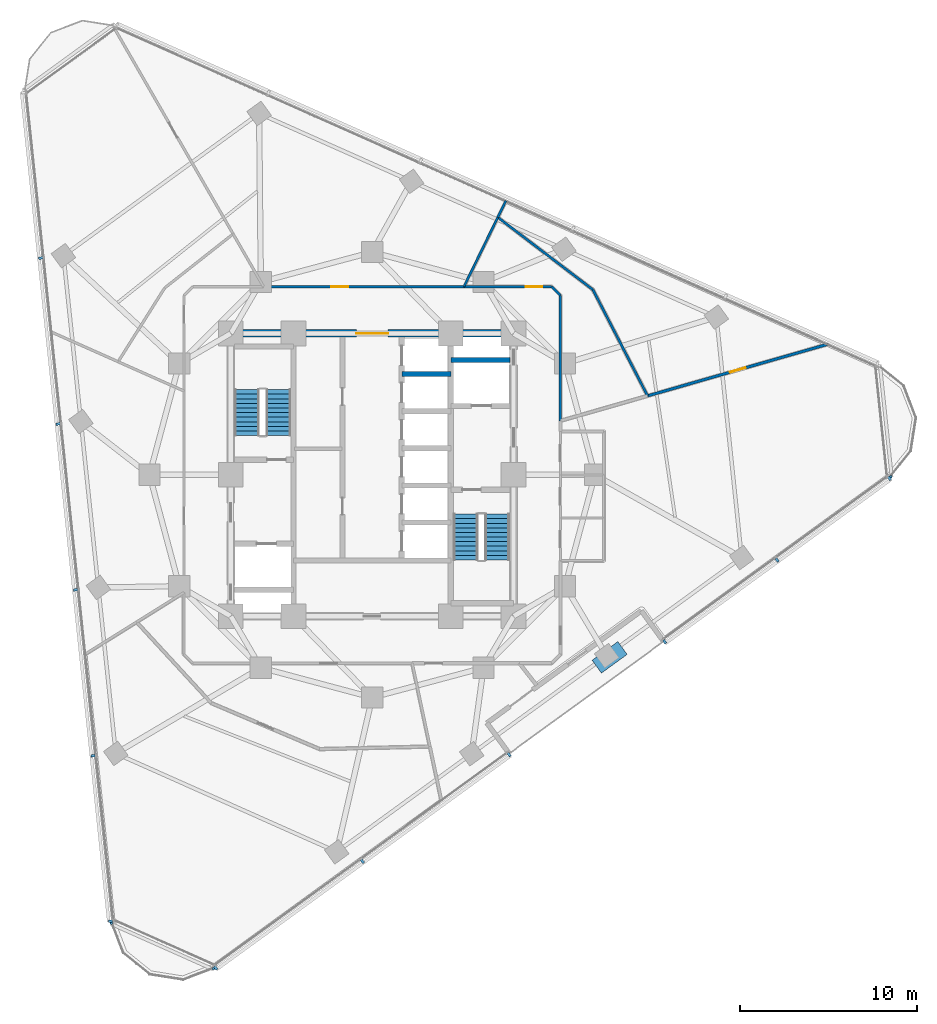
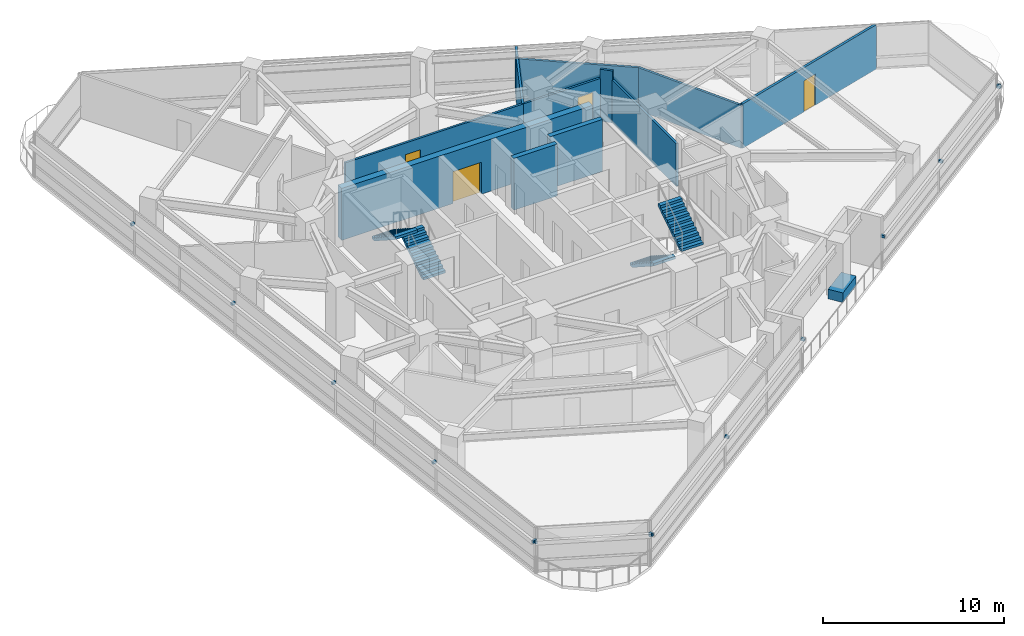
# One storey, part 10 of 14: 15 discrete accessories, 12 walls, 4 doors, 4 stair flights, 4 openings, 2 elements without a shape of their own.
"""IFC4 building model written with IfcOpenShell, lengths in metres."""

import ifcopenshell
import ifcopenshell.guid

model = None  # the IFC model being written
_history = None  # IfcOwnerHistory: only IFC2X3 demands one
_inside = {}  # id of a spatial element -> (the spatial element, [elements in it])
_under = {}  # id of a project, library or spatial element -> (it, [spatial elements below it])
_declared = {}  # id of a project -> (the project, [libraries it declares])
_typed = {}  # id of a type object -> (the type object, [elements of that type])
_made_of = {}  # id of a material, layer set ... -> (it, [elements and type objects made of it])


def new_model(schema):
    """Start an empty IFC model of exactly this schema.

    Asked for "IFC4X3", IfcOpenShell would pick the latest addendum, in which some entities
    have other attributes; the version numbers below select the first issue.
    IFC2X3 requires an IfcOwnerHistory on every rooted entity: one is made here for all.
    """
    global model, _history
    if schema == "IFC4X3":
        model = ifcopenshell.file(schema_version=(4, 3, 0, 0))
    else:
        model = ifcopenshell.file(schema=schema)
    _inside.clear()
    _under.clear()
    _declared.clear()
    _typed.clear()
    _made_of.clear()
    _history = None
    if model.schema == "IFC2X3":
        org = make("IfcOrganization", Name="unknown")
        user = make(
            "IfcPersonAndOrganization",
            ThePerson=make("IfcPerson", FamilyName="unknown"),
            TheOrganization=org,
        )
        app = make(
            "IfcApplication",
            ApplicationDeveloper=org,
            Version="unknown",
            ApplicationFullName="unknown",
            ApplicationIdentifier="unknown",
        )
        _history = make(
            "IfcOwnerHistory",
            OwningUser=user,
            OwningApplication=app,
            ChangeAction="ADDED",
            CreationDate=0,
        )
    return model


def make(cls, **values):
    """One entity of the class cls with the attributes given. An attribute that is None is left unset."""
    return model.create_entity(
        cls, **{name: value for name, value in values.items() if value is not None}
    )


def rooted(cls, **values):
    """An entity with a GlobalId (a new one), such as an element, a storey or a relation."""
    return make(cls, GlobalId=ifcopenshell.guid.new(), OwnerHistory=_history, **values)


def si_unit(unit_type, name, prefix=None):
    """IfcSIUnit, for example si_unit("LENGTHUNIT", "METRE", prefix="MILLI")."""
    return make("IfcSIUnit", UnitType=unit_type, Prefix=prefix, Name=name)


def assignment(units):
    """IfcUnitAssignment: the units of a project."""
    return None if units is None else make("IfcUnitAssignment", Units=units)


def point(xyz):
    """IfcCartesianPoint."""
    return None if xyz is None else make("IfcCartesianPoint", Coordinates=xyz)


def direction(xyz):
    """IfcDirection."""
    return None if xyz is None else make("IfcDirection", DirectionRatios=xyz)


def frame(location, z_axis=None, x_axis=None):
    """IfcAxis2Placement3D, a coordinate frame: its origin and axes. An axis left out is left unset."""
    return make(
        "IfcAxis2Placement3D",
        Location=point(location),
        Axis=direction(z_axis),
        RefDirection=direction(x_axis),
    )


def frame_2d(location, x_axis=None):
    """IfcAxis2Placement2D, a coordinate frame in the plane: its origin and x axis."""
    return make(
        "IfcAxis2Placement2D", Location=point(location), RefDirection=direction(x_axis)
    )


def origin():
    """The frame at (0, 0, 0) with its axes left unset."""
    return frame((0.0, 0.0, 0.0))


def origin_2d():
    """The frame at (0, 0) in the plane with its x axis left unset."""
    return frame_2d((0.0, 0.0))


def place(relative_to, where):
    """IfcLocalPlacement: puts the frame where relative to a parent placement (None: the world)."""
    return make(
        "IfcLocalPlacement", PlacementRelTo=relative_to, RelativePlacement=where
    )


def context(
    kind, dimensions, precision=None, world=None, true_north=None, identifier=None
):
    """IfcGeometricRepresentationContext, for example the 3D "Model" context."""
    return make(
        "IfcGeometricRepresentationContext",
        ContextIdentifier=identifier,
        ContextType=kind,
        CoordinateSpaceDimension=dimensions,
        Precision=precision,
        WorldCoordinateSystem=world,
        TrueNorth=true_north,
    )


def subcontext(parent, identifier, kind, view, scale=None):
    """IfcGeometricRepresentationSubContext, for example "Body" below "Model"."""
    return make(
        "IfcGeometricRepresentationSubContext",
        ContextIdentifier=identifier,
        ContextType=kind,
        ParentContext=parent,
        TargetScale=scale,
        TargetView=view,
    )


def project(units=None, contexts=None):
    """IfcProject with its units and contexts."""
    return rooted(
        "IfcProject",
        Name="project",
        RepresentationContexts=contexts,
        UnitsInContext=assignment(units),
    )


def spatial(cls, under=None, at=None, **own):
    """A site, building, storey or space (cls), placed at a placement, below another one or the project."""
    s = rooted(cls, ObjectPlacement=at, **own)
    if under is not None:
        _under.setdefault(under.id(), (under, []))[1].append(s)
    return s


def polyline(points):
    """IfcPolyline through the points."""
    return make("IfcPolyline", Points=[point(p) for p in points])


def profile(cls, at=None, kind="AREA", **sizes):
    """A parametric profile (cls). Its sizes go by their IFC names, for example OverallWidth=200.0."""
    return make(cls, ProfileType=kind, Position=at, **sizes)


def rectangle(**sizes):
    """IfcRectangleProfileDef."""
    return profile("IfcRectangleProfileDef", **sizes)


def outline(outer, holes=None, kind="AREA"):
    """IfcArbitraryClosedProfileDef: a profile drawn as a closed curve; with holes, ...WithVoids."""
    if holes is None:
        return make("IfcArbitraryClosedProfileDef", ProfileType=kind, OuterCurve=outer)
    return make(
        "IfcArbitraryProfileDefWithVoids",
        ProfileType=kind,
        OuterCurve=outer,
        InnerCurves=holes,
    )


def extrude(swept, where, along, depth):
    """IfcExtrudedAreaSolid: the profile swept, set in the frame where, extruded along a direction by depth."""
    return make(
        "IfcExtrudedAreaSolid",
        SweptArea=swept,
        Position=where,
        ExtrudedDirection=direction(along),
        Depth=depth,
    )


def shape(context_of_items, identifier, shape_type, items):
    """IfcShapeRepresentation: the items that make up one representation, for example the "Body"."""
    return make(
        "IfcShapeRepresentation",
        ContextOfItems=context_of_items,
        RepresentationIdentifier=identifier,
        RepresentationType=shape_type,
        Items=items,
    )


def material(Name=None, Category=None):
    """IfcMaterial."""
    return make("IfcMaterial", Name=Name, Category=Category)


def layer(
    of_material, thickness, ventilated=None, Name=None, Category=None, Priority=None
):
    """IfcMaterialLayer: one layer of a wall or slab, of a material (None: an air gap)."""
    return make(
        "IfcMaterialLayer",
        Material=of_material,
        LayerThickness=thickness,
        IsVentilated=ventilated,
        Name=Name,
        Category=Category,
        Priority=Priority,
    )


def layer_set(layers, Name=None):
    """IfcMaterialLayerSet."""
    return make("IfcMaterialLayerSet", MaterialLayers=layers, LayerSetName=Name)


def made_of(thing, what):
    """Note that an element or type object is made of a material, layer set ...; save() writes the relation."""
    if what is not None:
        _made_of.setdefault(what.id(), (what, []))[1].append(thing)
    return thing


def type_object(cls, material=None, **own):
    """A type object (cls), such as IfcWallType, which elements share."""
    return made_of(rooted(cls, **own), material)


def element(
    cls,
    number,
    at=None,
    inside=None,
    cuts=None,
    type_object=None,
    material=None,
    context=None,
    identifier="Body",
    shape_type=None,
    held_by="IfcProductDefinitionShape",
    body=None,
    shapes=None,
    **own,
):
    """One element of the class cls, such as IfcWall. Its Tag is "e" and its number.

    at: its placement. inside: the storey or other place that contains it. cuts: it is an
    opening in that element (IfcRelVoidsElement). A single representation is given by context,
    identifier, shape_type and body (its items); several are given by shapes. held_by: the class
    of the entity that holds the representations. save() writes the other relations.
    """
    e = rooted(cls, Tag="e%d" % number, ObjectPlacement=at, **own)
    if body is not None:
        shapes = [shape(context, identifier, shape_type, body)]
    if shapes is not None:
        e.Representation = make(held_by, Representations=shapes)
    if inside is not None:
        _inside.setdefault(inside.id(), (inside, []))[1].append(e)
    if cuts is not None:
        rooted(
            "IfcRelVoidsElement", RelatingBuildingElement=cuts, RelatedOpeningElement=e
        )
    if type_object is not None:
        _typed.setdefault(type_object.id(), (type_object, []))[1].append(e)
    return made_of(e, material)


def fill(opening, filler):
    """IfcRelFillsElement: the door or window that sits in an opening."""
    return rooted(
        "IfcRelFillsElement",
        RelatingOpeningElement=opening,
        RelatedBuildingElement=filler,
    )


def aggregate(whole, parts):
    """IfcRelAggregates: a whole, such as a stair, and the parts it consists of."""
    return rooted("IfcRelAggregates", RelatingObject=whole, RelatedObjects=parts)


def save(model, path):
    """Write the relations noted so far, then the file.

    IfcRelAggregates (storeys below a building ...), IfcRelContainedInSpatialStructure (elements
    in a storey), IfcRelDefinesByType, IfcRelAssociatesMaterial and IfcRelDeclares: one each for
    every whole, place, type object, material and project.
    """
    for whole, parts in _under.values():
        aggregate(whole, parts)
    for where, things in _inside.values():
        rooted(
            "IfcRelContainedInSpatialStructure",
            RelatedElements=things,
            RelatingStructure=where,
        )
    for kind, things in _typed.values():
        rooted("IfcRelDefinesByType", RelatedObjects=things, RelatingType=kind)
    for what, things in _made_of.values():
        rooted("IfcRelAssociatesMaterial", RelatedObjects=things, RelatingMaterial=what)
    for by, libraries in _declared.values():
        rooted("IfcRelDeclares", RelatingContext=by, RelatedDefinitions=libraries)
    model.write(path)


model = new_model("IFC4")

# Units and contexts
model_context = context("Model", 3, precision=1e-05, world=origin(), true_north=direction((0.0, 1.0)))
body_context = subcontext(model_context, "Body", "Model", "MODEL_VIEW")
ifc_project = project(units=[si_unit("LENGTHUNIT", "METRE"), si_unit("AREAUNIT", "SQUARE_METRE"), si_unit("VOLUMEUNIT", "CUBIC_METRE"), si_unit("PLANEANGLEUNIT", "RADIAN"), si_unit("MASSUNIT", "GRAM", prefix="KILO")], contexts=[model_context])

# Site, building, storey
site_placement = place(None, origin())
site = spatial("IfcSite", under=ifc_project, at=site_placement, CompositionType="ELEMENT")
building_placement = place(site_placement, origin())
building = spatial("IfcBuilding", under=site, at=building_placement, Name="Terralouvre Media Tower", CompositionType="ELEMENT")
storey_placement = place(building_placement, frame((0.0, 0.0, 158.300048828125)))
storey = spatial("IfcBuildingStorey", under=building, at=storey_placement, Name="L40", CompositionType="ELEMENT", Elevation=158.300048828125)

# Walls
ifc_material_1 = material(Name="Concrete C50/60", Category="concrete")
ifc_layer_1 = layer(ifc_material_1, 0.300048828125, Name="Core Internal Shaft Wall CW-300")
ifc_layer_set_1 = layer_set([ifc_layer_1], Name="Concrete C50/60")
wall_type_1 = type_object("IfcWallType", Name="Core Internal Shaft Wall CW-300", PredefinedType="SHEAR", material=ifc_layer_set_1)
wall_1_placement = place(storey_placement, frame((4.449951171875, 6.5, 0.0), z_axis=(0.0, 0.0, 1.0), x_axis=(1.0, 0.0, 0.0)))
element("IfcWall", 1, at=wall_1_placement, inside=storey, type_object=wall_type_1, Name="L40 Core Shaft Wall FF2N", PredefinedType="SHEAR", context=body_context, shape_type="SweptSolid", body=[
    extrude(rectangle(XDim=3.340087890625, YDim=0.300048828125, at=frame_2d((1.669921875, 0.0))), origin(), (0.0, 0.0, 1.0), 3.5),
])
wall_2_placement = place(storey_placement, frame((1.679931640625, 5.699951171875, 0.0), z_axis=(0.0, 0.0, 1.0), x_axis=(1.0, 0.0, 0.0)))
element("IfcWall", 2, at=wall_2_placement, inside=storey, type_object=wall_type_1, Name="L40 Core Shaft Wall PLMD2", PredefinedType="SHEAR", context=body_context, shape_type="SweptSolid", body=[
    extrude(rectangle(XDim=2.77001953125, YDim=0.300048828125, at=frame_2d((1.385009765625, 0.0))), origin(), (0.0, 0.0, 1.0), 3.5),
])

# Wall, opening, door
ifc_material_2 = material(Name="Concrete C60/75", Category="concrete")
ifc_layer_2 = layer(ifc_material_2, 0.419921875, Name="Core Reinforced Concrete Shear Wall CW-420")
ifc_layer_set_2 = layer_set([ifc_layer_2], Name="Concrete C60/75")
wall_type_2 = type_object("IfcWallType", Name="Core Reinforced Concrete Shear Wall CW-420", PredefinedType="SHEAR", material=ifc_layer_set_2)
wall_3_placement = place(storey_placement, frame((-8.0, 8.0, 0.0), z_axis=(0.0, 0.0, 1.0), x_axis=(1.0, 0.0, 0.0)))
wall_3 = element("IfcWall", 3, at=wall_3_placement, inside=storey, type_object=wall_type_2, Name="L40 N Core Shear Wall", PredefinedType="SHEAR", context=body_context, shape_type="SweptSolid", body=[
    extrude(rectangle(XDim=16.0, YDim=0.419921875, at=frame_2d((8.0, 0.0))), origin(), (0.0, 0.0, 1.0), 3.5),
])
opening_1_placement = place(wall_3_placement, frame((7.10009765625, 0.0, 0.0)))
opening_1 = element("IfcOpeningElement", 4, at=opening_1_placement, cuts=wall_3, Name="Opening FD-03", PredefinedType="OPENING", context=body_context, shape_type="SweptSolid", body=[
    extrude(rectangle(XDim=1.800048828125, YDim=2.14990234375, at=frame_2d((0.89990234375, 1.074951171875))), frame((0.0, 0.219970703125, 0.0), z_axis=(0.0, -1.0, 0.0), x_axis=(1.0, 0.0, 0.0)), (0.0, 0.0, 1.0), 0.43994140625),
])
ifc_material_3 = material(Name="Galvanised steel fire-resisting leaf", Category="steel")
door_type_1 = type_object("IfcDoorType", Name="Corridor Smoke-Control Double Door FD-03", OperationType="DOUBLE_DOOR_SINGLE_SWING", PredefinedType="DOOR", material=ifc_material_3)
door_1_placement = place(opening_1_placement, origin())
door_1 = element("IfcDoor", 5, at=door_1_placement, inside=storey, type_object=door_type_1, Name="L40 Central Lift Lobby Portal Door", OperationType="DOUBLE_DOOR_SINGLE_SWING", OverallHeight=2.14990234375, OverallWidth=1.800048828125, PredefinedType="DOOR", context=body_context, shape_type="SweptSolid", body=[
    extrude(rectangle(XDim=1.800048828125, YDim=2.14990234375, at=frame_2d((0.89990234375, 1.074951171875))), frame((0.0, 0.02490234375, 0.0), z_axis=(0.0, -1.0, 0.0), x_axis=(1.0, 0.0, 0.0)), (0.0, 0.0, 1.0), 0.050048828125),
])
fill(opening_1, door_1)

# Walls
ifc_material_4 = material(Name="Fire-rated gypsum board drywall partition")
ifc_layer_3 = layer(ifc_material_4, 0.135009765625, Name="Newsroom Acoustic Partition PT-135")
ifc_layer_set_3 = layer_set([ifc_layer_3], Name="Fire-rated gypsum board drywall partition")
wall_type_3 = type_object("IfcWallType", Name="Newsroom Acoustic Partition PT-135", PredefinedType="PARTITIONING", material=ifc_layer_set_3)
wall_4_placement = place(storey_placement, frame((10.64990234375, 3.053955078125, 0.0), z_axis=(0.0, 0.0, 1.0), x_axis=(0.0, 1.0, 0.0)))
element("IfcWall", 6, at=wall_4_placement, inside=storey, type_object=wall_type_3, Name="L40 Interior Partition 013", PredefinedType="PARTITIONING", context=body_context, shape_type="SweptSolid", body=[
    extrude(rectangle(XDim=7.095947265625, YDim=0.135009765625, at=frame_2d((3.5478515625, 0.0))), origin(), (0.0, 0.0, 1.0), 2.885009765625),
])
wall_5_placement = place(storey_placement, frame((10.64990234375, 10.14990234375, 0.0), z_axis=(0.0, 0.0, 1.0), x_axis=(-0.707106781187, 0.707106781187, 0.0)))
element("IfcWall", 7, at=wall_5_placement, inside=storey, type_object=wall_type_3, Name="L40 Interior Partition 014", PredefinedType="PARTITIONING", context=body_context, shape_type="SweptSolid", body=[
    extrude(rectangle(XDim=0.70703125, YDim=0.135009765625, at=frame_2d((0.353515625, 0.0))), origin(), (0.0, 0.0, 1.0), 3.5),
])

# Wall, opening, door
wall_6_placement = place(storey_placement, frame((10.14990234375, 10.64990234375, 0.0), z_axis=(0.0, 0.0, 1.0), x_axis=(-1.0, 0.0, 0.0)))
wall_6 = element("IfcWall", 8, at=wall_6_placement, inside=storey, type_object=wall_type_3, Name="L40 Interior Partition 015", PredefinedType="PARTITIONING", context=body_context, shape_type="SweptSolid", body=[
    extrude(rectangle(XDim=4.955810546875, YDim=0.135009765625, at=frame_2d((2.47802734375, 0.0))), origin(), (0.0, 0.0, 1.0), 2.885009765625),
])
opening_2_placement = place(wall_6_placement, frame((0.51611328125, 0.0, 0.0)))
opening_2 = element("IfcOpeningElement", 9, at=opening_2_placement, cuts=wall_6, Name="Opening ID-02-95X210", PredefinedType="OPENING", context=body_context, shape_type="SweptSolid", body=[
    extrude(rectangle(XDim=0.949951171875, YDim=2.10009765625, at=frame_2d((0.47509765625, 1.050048828125))), frame((0.0, 0.077392578125, 0.0), z_axis=(0.0, -1.0, 0.0), x_axis=(1.0, 0.0, 0.0)), (0.0, 0.0, 1.0), 0.155029296875),
])
ifc_material_5 = material(Name="Engineered hardwood acoustic timber leaf", Category="wood")
door_type_2 = type_object("IfcDoorType", Name="Office and Meeting Room Door ID-02 (950x2100)", OperationType="NOTDEFINED", PredefinedType="DOOR", material=ifc_material_5)
door_2_placement = place(opening_2_placement, origin())
door_2 = element("IfcDoor", 10, at=door_2_placement, inside=storey, type_object=door_type_2, Name="L40 Acoustic Music Listening Room 7 Door", OperationType="SINGLE_SWING_LEFT", OverallHeight=2.10009765625, OverallWidth=0.949951171875, PredefinedType="DOOR", context=body_context, shape_type="SweptSolid", body=[
    extrude(rectangle(XDim=0.949951171875, YDim=2.10009765625, at=frame_2d((0.47509765625, 1.050048828125))), frame((0.0, 0.02490234375, 0.0), z_axis=(0.0, -1.0, 0.0), x_axis=(1.0, 0.0, 0.0)), (0.0, 0.0, 1.0), 0.050048828125),
])
fill(opening_2, door_2)

wall_7_placement = place(storey_placement, frame((5.194091796875, 10.64990234375, 0.0), z_axis=(0.0, 0.0, 1.0), x_axis=(-1.0, 0.0, 0.0)))
wall_7 = element("IfcWall", 11, at=wall_7_placement, inside=storey, type_object=wall_type_3, Name="L40 Interior Partition 016", PredefinedType="PARTITIONING", context=body_context, shape_type="SweptSolid", body=[
    extrude(rectangle(XDim=11.343017578125, YDim=0.135009765625, at=frame_2d((5.67138671875, 0.0))), origin(), (0.0, 0.0, 1.0), 2.885009765625),
])
opening_3_placement = place(wall_7_placement, frame((6.5576171875, 0.0, 0.0)))
opening_3 = element("IfcOpeningElement", 12, at=opening_3_placement, cuts=wall_7, Name="Opening ID-02-95X210", PredefinedType="OPENING", context=body_context, shape_type="SweptSolid", body=[
    extrude(rectangle(XDim=0.949951171875, YDim=2.10009765625, at=frame_2d((0.47509765625, 1.050048828125))), frame((0.0, 0.077392578125, 0.0), z_axis=(0.0, -1.0, 0.0), x_axis=(1.0, 0.0, 0.0)), (0.0, 0.0, 1.0), 0.155029296875),
])
door_3_placement = place(opening_3_placement, origin())
door_3 = element("IfcDoor", 13, at=door_3_placement, inside=storey, type_object=door_type_2, Name="L40 Camera Lens Vault Store 8 Door", OperationType="SINGLE_SWING_RIGHT", OverallHeight=2.10009765625, OverallWidth=0.949951171875, PredefinedType="DOOR", context=body_context, shape_type="SweptSolid", body=[
    extrude(rectangle(XDim=0.949951171875, YDim=2.10009765625, at=frame_2d((0.47509765625, 1.050048828125))), frame((0.0, 0.02490234375, 0.0), z_axis=(0.0, -1.0, 0.0), x_axis=(1.0, 0.0, 0.0)), (0.0, 0.0, 1.0), 0.050048828125),
])
fill(opening_3, door_3)

# Walls
wall_8_placement = place(storey_placement, frame((7.10595703125, 14.569091796875, 0.0), z_axis=(0.0, 0.0, 1.0), x_axis=(0.795990968219, -0.60530849863, 0.0)))
element("IfcWall", 14, at=wall_8_placement, inside=storey, type_object=wall_type_3, Name="L40 Interior Partition 039", PredefinedType="PARTITIONING", context=body_context, shape_type="SweptSolid", body=[
    extrude(rectangle(XDim=6.76025390625, YDim=0.135009765625, at=frame_2d((3.380126953125, 0.0))), origin(), (0.0, 0.0, 1.0), 2.885009765625),
])
wall_9_placement = place(storey_placement, frame((12.487060546875, 10.47705078125, 0.0), z_axis=(0.0, 0.0, 1.0), x_axis=(0.457887389752, -0.889010201464, 0.0)))
element("IfcWall", 15, at=wall_9_placement, inside=storey, type_object=wall_type_3, Name="L40 Interior Partition 040", PredefinedType="PARTITIONING", context=body_context, shape_type="SweptSolid", body=[
    extrude(rectangle(XDim=6.75927734375, YDim=0.135009765625, at=frame_2d((3.379638671875, 0.0))), origin(), (0.0, 0.0, 1.0), 2.885009765625),
])
wall_10_placement = place(storey_placement, frame((7.564453125, 15.509521484375, 0.0), z_axis=(0.0, 0.0, 1.0), x_axis=(-0.438230528202, -0.898862616951, 0.0)))
element("IfcWall", 16, at=wall_10_placement, inside=storey, type_object=wall_type_3, Name="L40 Interior Partition 041", PredefinedType="PARTITIONING", context=body_context, shape_type="SweptSolid", body=[
    extrude(rectangle(XDim=1.046142578125, YDim=0.135009765625, at=frame_2d((0.52294921875, 0.0))), origin(), (0.0, 0.0, 1.0), 2.98486328125),
])
wall_11_placement = place(storey_placement, frame((7.10595703125, 14.569091796875, 0.0), z_axis=(0.0, 0.0, 1.0), x_axis=(-0.43843576568, -0.898762526684, 0.0)))
element("IfcWall", 17, at=wall_11_placement, inside=storey, type_object=wall_type_3, Name="L40 Interior Partition 042", PredefinedType="PARTITIONING", context=body_context, shape_type="SweptSolid", body=[
    extrude(rectangle(XDim=4.360595703125, YDim=0.135009765625, at=frame_2d((2.18017578125, 0.0))), origin(), (0.0, 0.0, 1.0), 2.885009765625),
])

# Wall, opening, door
ifc_material_6 = material(Name="Fire-rated gypsum board drywall partition")
ifc_layer_4 = layer(ifc_material_6, 0.159912109375, Name="Studio Acoustic Rated Partition PT-160")
ifc_layer_set_4 = layer_set([ifc_layer_4], Name="Fire-rated gypsum board drywall partition")
wall_type_4 = type_object("IfcWallType", Name="Studio Acoustic Rated Partition PT-160", PredefinedType="PARTITIONING", material=ifc_layer_set_4)
wall_12_placement = place(storey_placement, frame((25.789794921875, 7.395263671875, 0.0), z_axis=(0.0, 0.0, 1.0), x_axis=(-0.961256282332, -0.275656234607, 0.0)))
wall_12 = element("IfcWall", 18, at=wall_12_placement, inside=storey, type_object=wall_type_4, Name="L40 Interior Partition 037", PredefinedType="PARTITIONING", context=body_context, shape_type="SweptSolid", body=[
    extrude(rectangle(XDim=10.619140625, YDim=0.159912109375, at=frame_2d((5.3095703125, 0.0))), origin(), (0.0, 0.0, 1.0), 2.98486328125),
])
opening_4_placement = place(wall_12_placement, frame((4.849609375, 0.0, 0.0)))
opening_4 = element("IfcOpeningElement", 19, at=opening_4_placement, cuts=wall_12, Name="Opening ID-03-92X210", PredefinedType="OPENING", context=body_context, shape_type="SweptSolid", body=[
    extrude(rectangle(XDim=0.919921875, YDim=2.10009765625, at=frame_2d((0.4599609375, 1.050048828125))), frame((0.0, 0.08984375, 0.0), z_axis=(0.0, -1.0, 0.0), x_axis=(1.0, 0.0, 0.0)), (0.0, 0.0, 1.0), 0.179931640625),
])
ifc_material_7 = material(Name="Engineered hardwood acoustic timber leaf", Category="wood")
door_type_3 = type_object("IfcDoorType", Name="Accessible Restroom and Suite Door ID-03 (920x2100)", OperationType="NOTDEFINED", PredefinedType="DOOR", material=ifc_material_7)
door_4_placement = place(opening_4_placement, origin())
door_4 = element("IfcDoor", 20, at=door_4_placement, inside=storey, type_object=door_type_3, Name="L40 Creative Set Workshop 6 Door", OperationType="SINGLE_SWING_LEFT", OverallHeight=2.10009765625, OverallWidth=0.919921875, PredefinedType="DOOR", context=body_context, shape_type="SweptSolid", body=[
    extrude(rectangle(XDim=0.919921875, YDim=2.10009765625, at=frame_2d((0.4599609375, 1.050048828125))), frame((0.0, 0.02490234375, 0.0), z_axis=(0.0, -1.0, 0.0), x_axis=(1.0, 0.0, 0.0)), (0.0, 0.0, 1.0), 0.050048828125),
])
fill(opening_4, door_4)

# Stair, stair flights
ifc_material_8 = material(Name="Concrete C45/55", Category="concrete")
stair_type_1 = type_object("IfcStairType", Name="Dogleg Stair Assembly ST-01", PredefinedType="HALF_TURN_STAIR", material=ifc_material_8)
stair_1_placement = place(storey_placement, origin())
stair_1 = element("IfcStair", 21, at=stair_1_placement, inside=storey, type_object=stair_type_1, Name="L40 Core Pressurised Exit Stair ST-01", PredefinedType="HALF_TURN_STAIR")
ifc_material_9 = material(Name="Concrete C45/55", Category="concrete")
stair_flight_type = type_object("IfcStairFlightType", Name="Reinforced Concrete Stair Flight SF-RC1", PredefinedType="STRAIGHT", material=ifc_material_9)
stair_flight_1_placement = place(storey_placement, frame((-5.300048828125, 2.219970703125, 0.0), z_axis=(0.0, 0.0, 1.0), x_axis=(0.0, 1.0, 0.0)))
stair_flight_1 = element("IfcStairFlight", 22, at=stair_flight_1_placement, type_object=stair_flight_type, Name="ST-01 flight 1", NumberOfRisers=11, NumberOfTreads=10, PredefinedType="STRAIGHT", RiserHeight=0.168181818, TreadLength=0.26, context=body_context, shape_type="SweptSolid", body=[
    extrude(outline(polyline([(0.0, 0.0), (0.0, 0.168212890625), (0.260009765625, 0.168212890625), (0.260009765625, 0.33642578125), (0.52001953125, 0.33642578125), (0.52001953125, 0.504638671875), (0.780029296875, 0.504638671875), (0.780029296875, 0.672607421875), (1.0400390625, 0.672607421875), (1.0400390625, 0.8408203125), (1.300048828125, 0.8408203125), (1.300048828125, 1.009033203125), (1.56005859375, 1.009033203125), (1.56005859375, 1.17724609375), (1.820068359375, 1.17724609375), (1.820068359375, 1.345458984375), (2.080078125, 1.345458984375), (2.080078125, 1.513671875), (2.340087890625, 1.513671875), (2.340087890625, 1.681884765625), (2.60009765625, 1.681884765625), (2.60009765625, 1.85009765625), (2.60009765625, 1.503173828125), (0.27587890625, 0.0), (0.0, 0.0)])), frame((0.0, 0.699951171875, 0.0), z_axis=(0.0, -1.0, 0.0), x_axis=(1.0, 0.0, 0.0)), (0.0, 0.0, 1.0), 1.39990234375),
])
stair_flight_2_placement = place(storey_placement, frame((-7.080078125, 4.820068359375, 1.849853515625), z_axis=(0.0, 0.0, 1.0), x_axis=(0.0, -1.0, 0.0)))
stair_flight_2 = element("IfcStairFlight", 23, at=stair_flight_2_placement, type_object=stair_flight_type, Name="ST-01 flight 2", NumberOfRisers=11, NumberOfTreads=10, PredefinedType="STRAIGHT", RiserHeight=0.168181818, TreadLength=0.26, context=body_context, shape_type="SweptSolid", body=[
    extrude(outline(polyline([(0.0, 0.0), (0.0, 0.168212890625), (0.260009765625, 0.168212890625), (0.260009765625, 0.33642578125), (0.52001953125, 0.33642578125), (0.52001953125, 0.504638671875), (0.780029296875, 0.504638671875), (0.780029296875, 0.672607421875), (1.0400390625, 0.672607421875), (1.0400390625, 0.8408203125), (1.300048828125, 0.8408203125), (1.300048828125, 1.009033203125), (1.56005859375, 1.009033203125), (1.56005859375, 1.17724609375), (1.820068359375, 1.17724609375), (1.820068359375, 1.345458984375), (2.080078125, 1.345458984375), (2.080078125, 1.513671875), (2.340087890625, 1.513671875), (2.340087890625, 1.681884765625), (2.60009765625, 1.681884765625), (2.60009765625, 1.85009765625), (2.60009765625, 1.503173828125), (0.27587890625, 0.0), (0.0, 0.0)])), frame((0.0, 0.699951171875, 0.0), z_axis=(0.0, -1.0, 0.0), x_axis=(1.0, 0.0, 0.0)), (0.0, 0.0, 1.0), 1.39990234375),
])
aggregate(stair_1, [stair_flight_1, stair_flight_2])

ifc_material_10 = material(Name="Concrete C45/55", Category="concrete")
stair_type_2 = type_object("IfcStairType", Name="Dogleg Stair Assembly ST-02", PredefinedType="HALF_TURN_STAIR", material=ifc_material_10)
stair_2_placement = place(storey_placement, origin())
stair_2 = element("IfcStair", 24, at=stair_2_placement, inside=storey, type_object=stair_type_2, Name="L40 Core Pressurised Exit Stair ST-02", PredefinedType="HALF_TURN_STAIR")
stair_flight_3_placement = place(storey_placement, frame((5.300048828125, -2.219970703125, 0.0), z_axis=(0.0, 0.0, 1.0), x_axis=(0.0, -1.0, 0.0)))
stair_flight_3 = element("IfcStairFlight", 25, at=stair_flight_3_placement, type_object=stair_flight_type, Name="ST-02 flight 1", NumberOfRisers=11, NumberOfTreads=10, PredefinedType="STRAIGHT", RiserHeight=0.168181818, TreadLength=0.26, context=body_context, shape_type="SweptSolid", body=[
    extrude(outline(polyline([(0.0, 0.0), (0.0, 0.168212890625), (0.260009765625, 0.168212890625), (0.260009765625, 0.33642578125), (0.52001953125, 0.33642578125), (0.52001953125, 0.504638671875), (0.780029296875, 0.504638671875), (0.780029296875, 0.672607421875), (1.0400390625, 0.672607421875), (1.0400390625, 0.8408203125), (1.300048828125, 0.8408203125), (1.300048828125, 1.009033203125), (1.56005859375, 1.009033203125), (1.56005859375, 1.17724609375), (1.820068359375, 1.17724609375), (1.820068359375, 1.345458984375), (2.080078125, 1.345458984375), (2.080078125, 1.513671875), (2.340087890625, 1.513671875), (2.340087890625, 1.681884765625), (2.60009765625, 1.681884765625), (2.60009765625, 1.85009765625), (2.60009765625, 1.503173828125), (0.27587890625, 0.0), (0.0, 0.0)])), frame((0.0, 0.699951171875, 0.0), z_axis=(0.0, -1.0, 0.0), x_axis=(1.0, 0.0, 0.0)), (0.0, 0.0, 1.0), 1.39990234375),
])
stair_flight_4_placement = place(storey_placement, frame((7.080078125, -4.820068359375, 1.849853515625), z_axis=(0.0, 0.0, 1.0), x_axis=(0.0, 1.0, 0.0)))
stair_flight_4 = element("IfcStairFlight", 26, at=stair_flight_4_placement, type_object=stair_flight_type, Name="ST-02 flight 2", NumberOfRisers=11, NumberOfTreads=10, PredefinedType="STRAIGHT", RiserHeight=0.168181818, TreadLength=0.26, context=body_context, shape_type="SweptSolid", body=[
    extrude(outline(polyline([(0.0, 0.0), (0.0, 0.168212890625), (0.260009765625, 0.168212890625), (0.260009765625, 0.33642578125), (0.52001953125, 0.33642578125), (0.52001953125, 0.504638671875), (0.780029296875, 0.504638671875), (0.780029296875, 0.672607421875), (1.0400390625, 0.672607421875), (1.0400390625, 0.8408203125), (1.300048828125, 0.8408203125), (1.300048828125, 1.009033203125), (1.56005859375, 1.009033203125), (1.56005859375, 1.17724609375), (1.820068359375, 1.17724609375), (1.820068359375, 1.345458984375), (2.080078125, 1.345458984375), (2.080078125, 1.513671875), (2.340087890625, 1.513671875), (2.340087890625, 1.681884765625), (2.60009765625, 1.681884765625), (2.60009765625, 1.85009765625), (2.60009765625, 1.503173828125), (0.27587890625, 0.0), (0.0, 0.0)])), frame((0.0, 0.699951171875, 0.0), z_axis=(0.0, -1.0, 0.0), x_axis=(1.0, 0.0, 0.0)), (0.0, 0.0, 1.0), 1.39990234375),
])
aggregate(stair_2, [stair_flight_3, stair_flight_4])

# Discrete accessories
ifc_material_11 = material(Name="Anodised extruded aluminium 6063-T6", Category="aluminium")
discrete_accessory_type_1 = type_object("IfcDiscreteAccessoryType", Name="Mullion Stand-Off Baguette Fixing Bracket BK-01", PredefinedType="BRACKET", material=ifc_material_11)
for number, where, z_axis, x_axis, name in (
    (27, (-8.855224609375, -27.898681640625, 2.07421875), (0.0, 0.0, 1.0), (0.809017136018, 0.587785057337, 0.0), "CW-L40-F0L Baguette Outrigger Bracket 1.01"),
    (28, (-0.552734375, -21.866455078125, 2.07421875), (0.0, 0.0, 1.0), (0.809017136018, 0.587785057337, 0.0), "CW-L40-F0L Baguette Outrigger Bracket 1.02"),
    (29, (7.749755859375, -15.83447265625, 2.07421875), (0.0, 0.0, 1.0), (0.809017136018, 0.587785057337, 0.0), "CW-L40-F0L Baguette Outrigger Bracket 1.03"),
    (30, (16.5478515625, -9.442138671875, 2.07421875), (0.0, 0.0, 1.0), (0.809016635256, 0.587785746577, 0.0), "CW-L40-F0R Baguette Outrigger Bracket 1.01"),
    (31, (22.90869140625, -4.82080078125, 2.07421875), (0.0, 0.0, 1.0), (0.809016635256, 0.587785746577, 0.0), "CW-L40-F0R Baguette Outrigger Bracket 1.02"),
    (32, (29.26953125, -0.19921875, 2.07421875), (0.0, 0.0, 1.0), (0.809016635256, 0.587785746577, 0.0), "CW-L40-F0R Baguette Outrigger Bracket 1.03"),
    (33, (-18.75048828125, 12.267333984375, 2.07421875), (0.0, 0.0, 1.0), (0.104528376236, -0.994521904516, 0.0), "CW-L40-F2 Baguette Outrigger Bracket 1.02"),
    (34, (-17.763671875, 2.87890625, 2.07421875), (0.0, 0.0, 1.0), (0.104528376236, -0.994521904516, 0.0), "CW-L40-F2 Baguette Outrigger Bracket 1.03"),
    (35, (-16.77685546875, -6.50927734375, 2.07421875), (0.0, 0.0, 1.0), (0.104528376236, -0.994521904516, 0.0), "CW-L40-F2 Baguette Outrigger Bracket 1.04"),
    (36, (-15.790283203125, -15.897705078125, 2.07421875), (0.0, 0.0, 1.0), (0.104528376236, -0.994521904516, 0.0), "CW-L40-F2 Baguette Outrigger Bracket 1.05"),
    (37, (-14.807373046875, -25.24853515625, 2.07421875), (0.0, 0.0, 1.0), (0.104528376236, -0.994521904516, 0.0), "CW-L40-F2 Baguette Outrigger Bracket 1.06"),
    (38, (-14.737548828125, -25.315185546875, 2.07421875), (0.0, 0.0, 1.0), (0.913545408199, -0.406736754128, 0.0), "CW-L40-C0 Baguette Outrigger Bracket 1.01"),
    (39, (-8.95166015625, -27.891357421875, 2.07421875), (0.0, 0.0, 1.0), (0.913545408199, -0.406736754128, 0.0), "CW-L40-C0 Baguette Outrigger Bracket 1.02"),
    (40, (29.29248046875, -0.10546875, 2.07421875), (0.0, 0.0, 1.0), (-0.10452850319, 0.994521891172, 0.0), "CW-L40-C1 Baguette Outrigger Bracket 1.01"),
):
    element("IfcDiscreteAccessory", number, at=place(storey_placement, frame(where, z_axis=z_axis, x_axis=x_axis)), inside=storey, type_object=discrete_accessory_type_1, Name=name, PredefinedType="BRACKET", context=body_context, shape_type="SweptSolid", body=[
        extrude(rectangle(XDim=0.139892578125, YDim=0.239990234375, at=origin_2d()), origin(), (0.0, 0.0, 1.0), 0.179931640625),
    ])
ifc_material_12 = material(Name="Kiln-fired architectural terracotta rainscreen cladding", Category="masonry")
discrete_accessory_type_2 = type_object("IfcDiscreteAccessoryType", Name="Planted Tropical Garden Bed Planter PLT-01", PredefinedType="USERDEFINED", material=ifc_material_12)
discrete_accessory_placement = place(storey_placement, frame((13.43505859375, -10.325439453125, -0.0048828125), z_axis=(0.0, 0.0, 1.0), x_axis=(0.80901711629, 0.58778508449, 0.0)))
element("IfcDiscreteAccessory", 41, at=discrete_accessory_placement, inside=storey, type_object=discrete_accessory_type_2, Name="L40 SG Planted Garden Bed Planter", ObjectType="PLANTER", PredefinedType="USERDEFINED", context=body_context, shape_type="SweptSolid", body=[
    extrude(rectangle(XDim=1.800048828125, YDim=0.89990234375, at=origin_2d()), origin(), (0.0, 0.0, 1.0), 0.64990234375),
])

save(model, "model.ifc")
